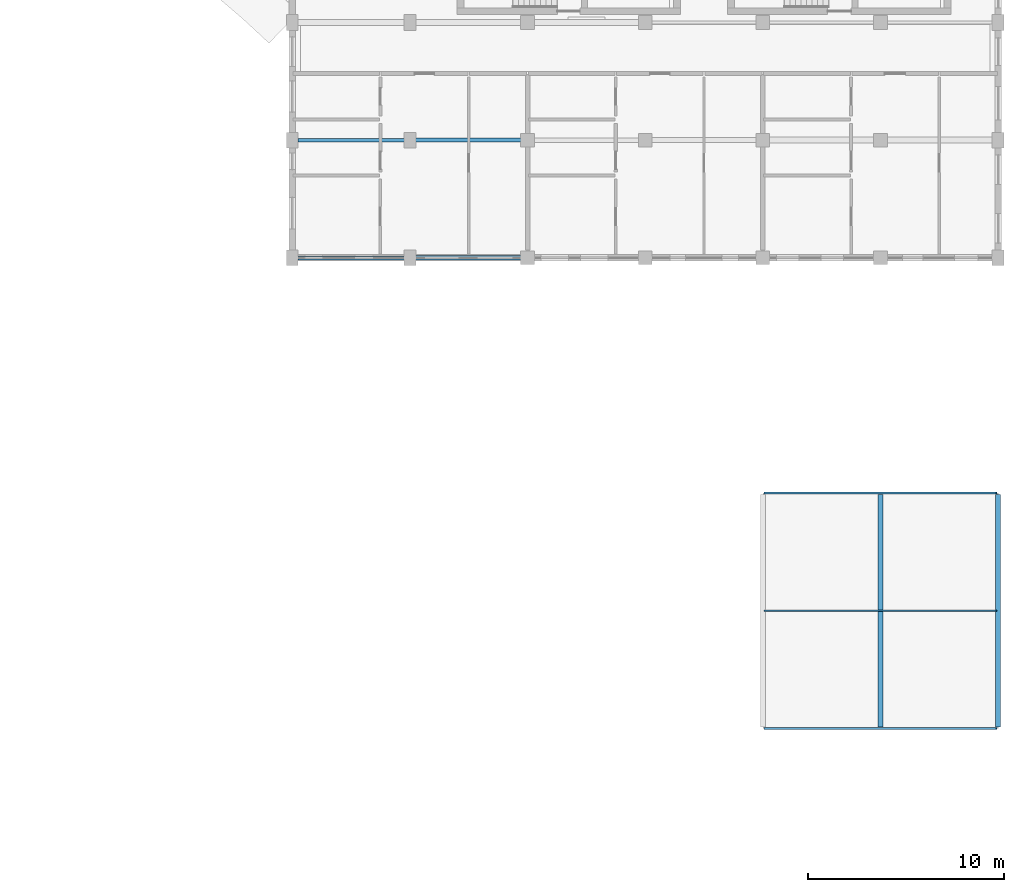
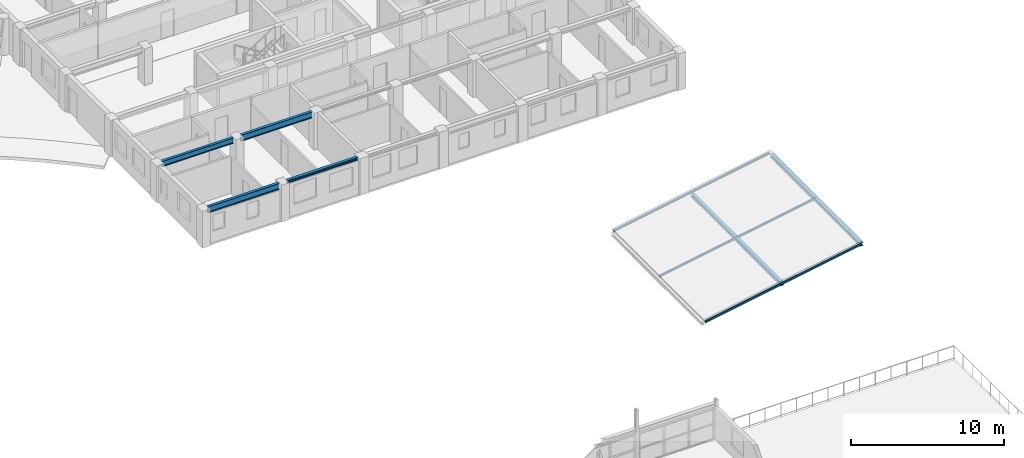
# One storey, part 62 of 137: 6 beams, 3 members.
"""IFC4 building model written with IfcOpenShell, lengths in metres."""

from ifc_helpers import new_model, si_unit, direction, frame, origin, origin_2d, place, context, subcontext, project, spatial, i_section, extrude, material, material_profile, profile_set, type_object, element, save


model = new_model("IFC4")

# Units and contexts
model_context = context("Model", 3, precision=1e-05, world=origin(), true_north=direction((0.0, 1.0)))
body_context = subcontext(model_context, "Body", "Model", "MODEL_VIEW")
ifc_project = project(units=[si_unit("LENGTHUNIT", "METRE"), si_unit("AREAUNIT", "SQUARE_METRE"), si_unit("VOLUMEUNIT", "CUBIC_METRE"), si_unit("PLANEANGLEUNIT", "RADIAN"), si_unit("MASSUNIT", "GRAM", prefix="KILO"), si_unit("POWERUNIT", "WATT"), si_unit("THERMODYNAMICTEMPERATUREUNIT", "KELVIN")], contexts=[model_context])

# Site, building, storey
site_placement = place(None, origin())
site = spatial("IfcSite", under=ifc_project, at=site_placement, CompositionType="ELEMENT")
building_placement = place(site_placement, origin())
building = spatial("IfcBuilding", under=site, at=building_placement, Name="Ruvembo Vaulted Housing Court", CompositionType="ELEMENT")
storey_placement = place(building_placement, frame((0.0, 0.0, 4.5)))
storey = spatial("IfcBuildingStorey", under=building, at=storey_placement, Name="L01", CompositionType="ELEMENT", Elevation=4.5)

# Beams
ifc_material = material(Name="Steel S355J2", Category="steel")
ifc_material_profile_1 = material_profile(ifc_material, i_section(OverallWidth=0.219970703125, OverallDepth=0.219970703125, WebThickness=0.009521484375, FlangeThickness=0.01611328125, FilletRadius=0.01806640625, at=origin_2d()), Name="HEB 220")
ifc_profile_set_1 = profile_set([ifc_material_profile_1], Name="Steel S355J2")
beam_type_1 = type_object("IfcBeamType", Name="BM-ST-HEB220", PredefinedType="BEAM", material=ifc_profile_set_1)
beam_1_placement = place(storey_placement, frame((156.284912109375, 72.0, 2.81591796875), z_axis=(1.0, 0.0, 0.0), x_axis=(0.0, 1.0, 0.0)))
element("IfcBeam", 1, at=beam_1_placement, inside=storey, type_object=beam_type_1, Name="L01 Grid Beam X #1229", PredefinedType="BEAM", context=body_context, shape_type="SweptSolid", body=[
    extrude(i_section(OverallWidth=0.219970703125, OverallDepth=0.219970703125, WebThickness=0.009521484375, FlangeThickness=0.01611328125, FilletRadius=0.01806640625, at=origin_2d()), origin(), (0.0, 0.0, 1.0), 5.380126953125),
])
ifc_material_profile_2 = material_profile(ifc_material, i_section(OverallWidth=0.260009765625, OverallDepth=0.260009765625, WebThickness=0.010009765625, FlangeThickness=0.017578125, FilletRadius=0.02392578125, at=origin_2d()), Name="HEB 260")
ifc_profile_set_2 = profile_set([ifc_material_profile_2], Name="Steel S355J2")
beam_type_2 = type_object("IfcBeamType", Name="BM-ST-HEB260", PredefinedType="BEAM", material=ifc_profile_set_2)
for number, where, z_axis, x_axis, name in (
    (2, (180.0, 48.080078125, 0.81787109375), (0.0, 1.0, 0.0), (-1.0, 0.0, 0.0), "Canopy Steel Cross Beam CAN-E X180"),
    (3, (186.0, 48.080078125, 1.8759765625), (0.0, 1.0, 0.0), (-1.0, 0.0, 0.0), "Canopy Steel Cross Beam CAN-E X186"),
):
    element("IfcBeam", number, at=place(storey_placement, frame(where, z_axis=z_axis, x_axis=x_axis)), inside=storey, type_object=beam_type_2, Name=name, PredefinedType="BEAM", context=body_context, shape_type="SweptSolid", body=[
        extrude(i_section(OverallWidth=0.260009765625, OverallDepth=0.260009765625, WebThickness=0.010009765625, FlangeThickness=0.017578125, FilletRadius=0.02392578125, at=origin_2d()), origin(), (0.0, 0.0, 1.0), 11.83984375),
    ])
ifc_material_profile_3 = material_profile(ifc_material, i_section(OverallWidth=0.18994140625, OverallDepth=0.449951171875, WebThickness=0.009521484375, FlangeThickness=0.0146484375, FilletRadius=0.02099609375, at=origin_2d()), Name="IPE 450")
ifc_profile_set_3 = profile_set([ifc_material_profile_3], Name="Steel S355J2")
beam_type_3 = type_object("IfcBeamType", Name="BM-ST-IPE450", PredefinedType="BEAM", material=ifc_profile_set_3)
beam_2_placement = place(storey_placement, frame((150.284912109375, 78.0, 2.700927734375), z_axis=(1.0, 0.0, 0.0), x_axis=(0.0, 1.0, 0.0)))
element("IfcBeam", 4, at=beam_2_placement, inside=storey, type_object=beam_type_3, Name="L01 Grid Beam X #1240", PredefinedType="BEAM", context=body_context, shape_type="SweptSolid", body=[
    extrude(i_section(OverallWidth=0.18994140625, OverallDepth=0.449951171875, WebThickness=0.009521484375, FlangeThickness=0.0146484375, FilletRadius=0.02099609375, at=origin_2d()), origin(), (0.0, 0.0, 1.0), 5.43017578125),
])
ifc_material_profile_4 = material_profile(ifc_material, i_section(OverallWidth=0.199951171875, OverallDepth=0.5, WebThickness=0.01025390625, FlangeThickness=0.01611328125, FilletRadius=0.02099609375, at=origin_2d()), Name="IPE 500")
ifc_profile_set_4 = profile_set([ifc_material_profile_4], Name="Steel S355J2")
beam_type_4 = type_object("IfcBeamType", Name="BM-ST-IPE500", PredefinedType="BEAM", material=ifc_profile_set_4)
beam_3_placement = place(storey_placement, frame((150.284912109375, 72.0, 2.676025390625), z_axis=(1.0, 0.0, 0.0), x_axis=(0.0, 1.0, 0.0)))
element("IfcBeam", 5, at=beam_3_placement, inside=storey, type_object=beam_type_4, Name="L01 Grid Beam X #1228", PredefinedType="BEAM", context=body_context, shape_type="SweptSolid", body=[
    extrude(i_section(OverallWidth=0.199951171875, OverallDepth=0.5, WebThickness=0.01025390625, FlangeThickness=0.01611328125, FilletRadius=0.02099609375, at=origin_2d()), origin(), (0.0, 0.0, 1.0), 5.43017578125),
])
beam_4_placement = place(storey_placement, frame((156.284912109375, 78.0, 2.676025390625), z_axis=(1.0, 0.0, 0.0), x_axis=(0.0, 1.0, 0.0)))
element("IfcBeam", 6, at=beam_4_placement, inside=storey, type_object=beam_type_4, Name="L01 Grid Beam X #1241", PredefinedType="BEAM", context=body_context, shape_type="SweptSolid", body=[
    extrude(i_section(OverallWidth=0.199951171875, OverallDepth=0.5, WebThickness=0.01025390625, FlangeThickness=0.01611328125, FilletRadius=0.02099609375, at=origin_2d()), origin(), (0.0, 0.0, 1.0), 5.380126953125),
])

# Members
ifc_material_profile_5 = material_profile(ifc_material, i_section(OverallWidth=0.091064453125, OverallDepth=0.179931640625, WebThickness=0.00537109375, FlangeThickness=0.008056640625, FilletRadius=0.009033203125, at=origin_2d()), Name="IPE 180")
ifc_profile_set_5 = profile_set([ifc_material_profile_5], Name="Steel S355J2")
member_type = type_object("IfcMemberType", Name="MEM-PUR-IPE180", PredefinedType="PURLIN", material=ifc_profile_set_5)
for number, where, z_axis, x_axis, name in (
    (7, (174.080078125, 48.0, -0.10009765625), (0.984402976669, 0.0, 0.175928336333), (0.0, 1.0, 0.0), "Canopy Sloped Steel Rafter CAN-E Y48"),
    (8, (174.080078125, 54.0, -0.10009765625), (0.984402976669, 0.0, 0.175928336333), (0.0, 1.0, 0.0), "Canopy Sloped Steel Rafter CAN-E Y54"),
    (9, (174.080078125, 60.0, -0.10009765625), (0.984402976669, 0.0, 0.175928336333), (0.0, 1.0, 0.0), "Canopy Sloped Steel Rafter CAN-E Y60"),
):
    element("IfcMember", number, at=place(storey_placement, frame(where, z_axis=z_axis, x_axis=x_axis)), inside=storey, type_object=member_type, Name=name, PredefinedType="PURLIN", context=body_context, shape_type="SweptSolid", body=[
        extrude(i_section(OverallWidth=0.091064453125, OverallDepth=0.179931640625, WebThickness=0.00537109375, FlangeThickness=0.008056640625, FilletRadius=0.009033203125, at=origin_2d()), origin(), (0.0, 0.0, 1.0), 12.02734375),
    ])

save(model, "model.ifc")
